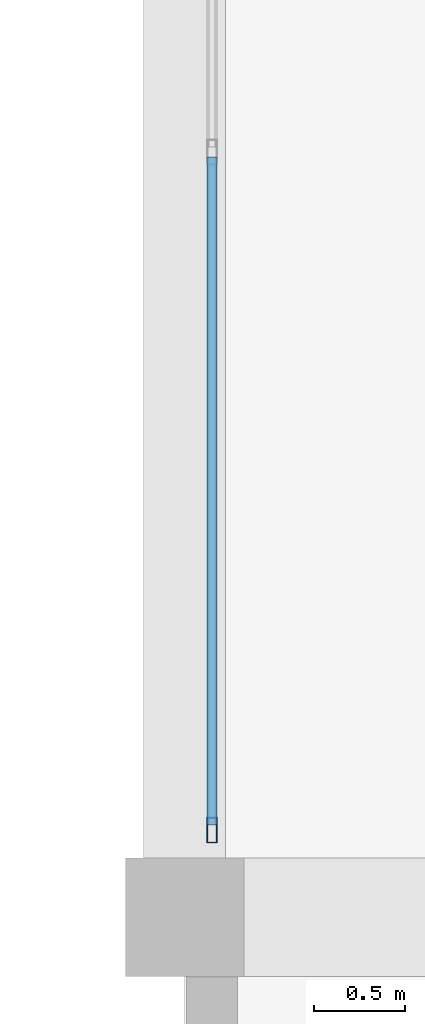
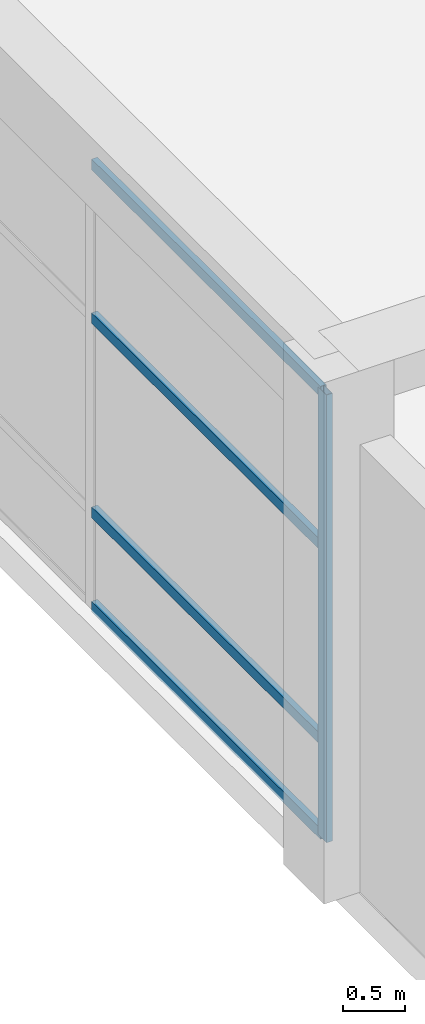
# One storey, part 3 of 65: 5 members, 1 element without a shape of its own.
"""IFC4 building model written with IfcOpenShell, lengths in metres."""

from ifc_helpers import new_model, si_unit, direction, frame, origin, origin_2d, place, context, subcontext, project, spatial, hollow_rectangle, extrude, material, material_profile, profile_set, type_object, element, aggregate, save


model = new_model("IFC4")

# Units and contexts
model_context = context("Model", 3, precision=1e-05, world=origin(), true_north=direction((0.0, 1.0)))
body_context = subcontext(model_context, "Body", "Model", "MODEL_VIEW")
ifc_project = project(units=[si_unit("LENGTHUNIT", "METRE"), si_unit("AREAUNIT", "SQUARE_METRE"), si_unit("VOLUMEUNIT", "CUBIC_METRE"), si_unit("PLANEANGLEUNIT", "RADIAN"), si_unit("MASSUNIT", "GRAM", prefix="KILO")], contexts=[model_context])

# Site, building, storey
site_placement = place(None, origin())
site = spatial("IfcSite", under=ifc_project, at=site_placement, CompositionType="ELEMENT")
building_placement = place(site_placement, origin())
building = spatial("IfcBuilding", under=site, at=building_placement, Name="Almacenes y Pasaje Nevantli", CompositionType="ELEMENT")
storey_placement = place(building_placement, frame((0.0, 0.0, 16.800048828125)))
storey = spatial("IfcBuildingStorey", under=building, at=storey_placement, Name="L04", CompositionType="ELEMENT", Elevation=16.800048828125)

# Curtain wall, members
ifc_material_1 = material(Name="Thermally Broken Aluminium and Low-E Glass", Category="aluminium")
curtain_wall_type = type_object("IfcCurtainWallType", Name="CW-UNIT-PODIUM", PredefinedType="USERDEFINED", material=ifc_material_1)
curtain_wall_placement = place(storey_placement, origin())
curtain_wall = element("IfcCurtainWall", 1, at=curtain_wall_placement, inside=storey, type_object=curtain_wall_type, Name="L04 West Avenue Unitized Curtain Wall Bay 4", ObjectType="UNITIZED CURTAIN WALL", PredefinedType="USERDEFINED")
ifc_material_2 = material(Name="Thermally Broken Anodized Aluminium", Category="aluminium")
ifc_material_profile_1 = material_profile(ifc_material_2, hollow_rectangle(XDim=0.054931640625, YDim=0.139892578125, WallThickness=0.00341796875, at=origin_2d()), Name="ALU-MUL-55x140")
ifc_profile_set_1 = profile_set([ifc_material_profile_1], Name="Thermally Broken Anodized Aluminium")
member_type_1 = type_object("IfcMemberType", Name="CW-MUL-160", PredefinedType="MULLION", material=ifc_profile_set_1)
member_1_placement = place(storey_placement, frame((0.14990234375, 25.677490234375, 0.0), z_axis=(0.0, 0.0, 1.0), x_axis=(-1.0, 0.0, 0.0)))
member_1 = element("IfcMember", 2, at=member_1_placement, type_object=member_type_1, Name="CW-L04-073 mullion 1", PredefinedType="MULLION", context=body_context, shape_type="SweptSolid", body=[
    extrude(hollow_rectangle(XDim=0.054931640625, YDim=0.139892578125, WallThickness=0.00341796875, at=origin_2d()), origin(), (0.0, 0.0, 1.0), 4.3798828125),
])
ifc_material_3 = material(Name="Thermally Broken Anodized Aluminium", Category="aluminium")
ifc_material_profile_2 = material_profile(ifc_material_3, hollow_rectangle(XDim=0.054931640625, YDim=0.10498046875, WallThickness=0.003173828125, at=origin_2d()), Name="ALU-TRN-55x105")
ifc_profile_set_2 = profile_set([ifc_material_profile_2], Name="Thermally Broken Anodized Aluminium")
member_type_2 = type_object("IfcMemberType", Name="CW-TRN-120", PredefinedType="USERDEFINED", material=ifc_profile_set_2)
member_2_placement = place(storey_placement, frame((0.14990234375, 25.705078125, 0.02734375), z_axis=(0.0, 1.0, 0.0), x_axis=(-1.0, 0.0, 0.0)))
member_2 = element("IfcMember", 3, at=member_2_placement, type_object=member_type_2, Name="CW-L04-073 transom 1.1", ObjectType="TRANSOM", PredefinedType="USERDEFINED", context=body_context, shape_type="SweptSolid", body=[
    extrude(hollow_rectangle(XDim=0.054931640625, YDim=0.10498046875, WallThickness=0.003173828125, at=origin_2d()), origin(), (0.0, 0.0, 1.0), 3.66748046875),
])
member_3_placement = place(storey_placement, frame((0.14990234375, 25.705078125, 0.949951171875), z_axis=(0.0, 1.0, 0.0), x_axis=(-1.0, 0.0, 0.0)))
member_3 = element("IfcMember", 4, at=member_3_placement, type_object=member_type_2, Name="CW-L04-073 transom 1.2", ObjectType="TRANSOM", PredefinedType="USERDEFINED", context=body_context, shape_type="SweptSolid", body=[
    extrude(hollow_rectangle(XDim=0.054931640625, YDim=0.10498046875, WallThickness=0.003173828125, at=origin_2d()), origin(), (0.0, 0.0, 1.0), 3.66748046875),
])
member_4_placement = place(storey_placement, frame((0.14990234375, 25.705078125, 2.849853515625), z_axis=(0.0, 1.0, 0.0), x_axis=(-1.0, 0.0, 0.0)))
member_4 = element("IfcMember", 5, at=member_4_placement, type_object=member_type_2, Name="CW-L04-073 transom 1.3", ObjectType="TRANSOM", PredefinedType="USERDEFINED", context=body_context, shape_type="SweptSolid", body=[
    extrude(hollow_rectangle(XDim=0.054931640625, YDim=0.10498046875, WallThickness=0.003173828125, at=origin_2d()), origin(), (0.0, 0.0, 1.0), 3.66748046875),
])
member_5_placement = place(storey_placement, frame((0.14990234375, 25.705078125, 4.3525390625), z_axis=(0.0, 1.0, 0.0), x_axis=(-1.0, 0.0, 0.0)))
member_5 = element("IfcMember", 6, at=member_5_placement, type_object=member_type_2, Name="CW-L04-073 transom 1.4", ObjectType="TRANSOM", PredefinedType="USERDEFINED", context=body_context, shape_type="SweptSolid", body=[
    extrude(hollow_rectangle(XDim=0.054931640625, YDim=0.10498046875, WallThickness=0.003173828125, at=origin_2d()), origin(), (0.0, 0.0, 1.0), 3.66748046875),
])
aggregate(curtain_wall, [member_1, member_2, member_3, member_4, member_5])

save(model, "model.ifc")
